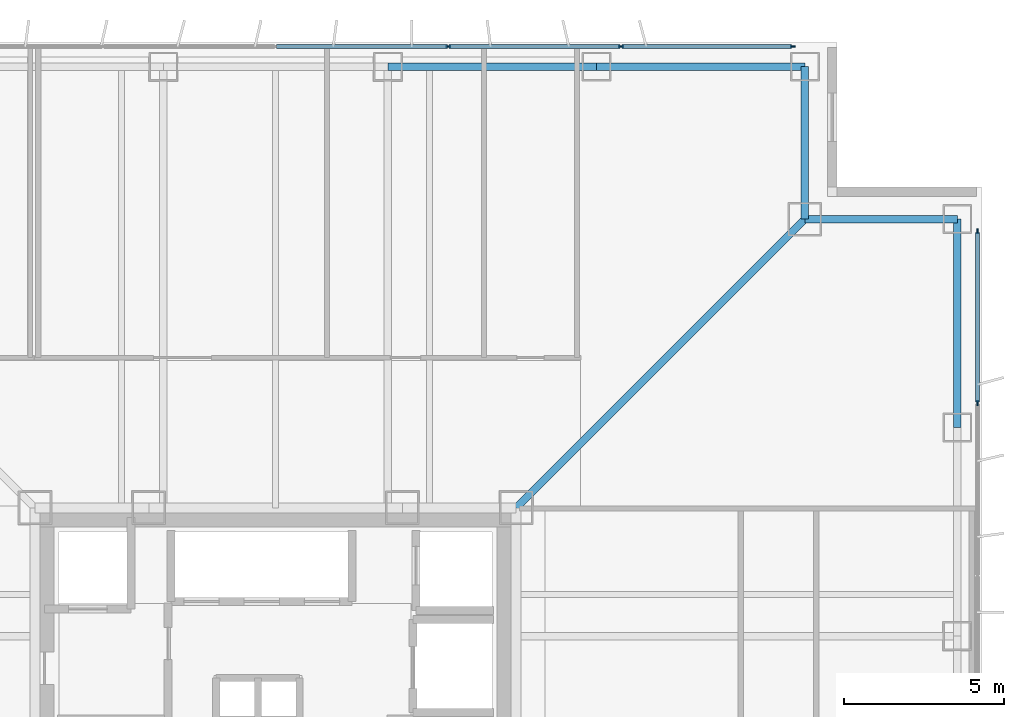
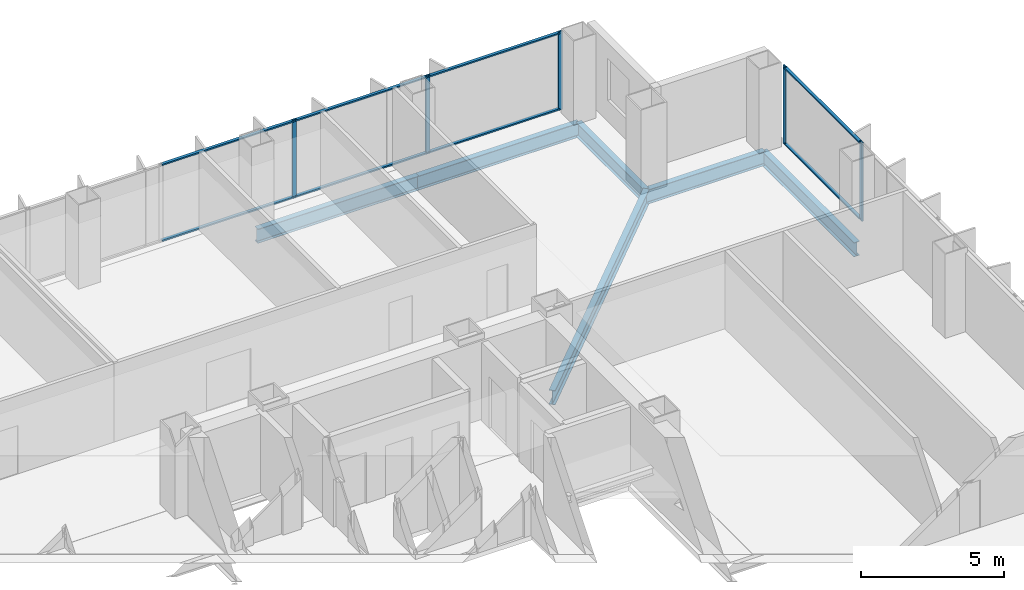
# One storey, part 8 of 14: 13 members, 6 beams, 2 elements without a shape of their own.
"""IFC4 building model written with IfcOpenShell, lengths in metres."""

from ifc_helpers import new_model, si_unit, direction, frame, origin, origin_2d, place, context, subcontext, project, spatial, rectangle, i_section, extrude, material, layer, layer_set, material_profile, profile_set, type_object, element, aggregate, save


model = new_model("IFC4")

# Units and contexts
model_context = context("Model", 3, precision=1e-05, world=origin(), true_north=direction((0.0, 1.0)))
body_context = subcontext(model_context, "Body", "Model", "MODEL_VIEW")
ifc_project = project(units=[si_unit("LENGTHUNIT", "METRE"), si_unit("AREAUNIT", "SQUARE_METRE"), si_unit("VOLUMEUNIT", "CUBIC_METRE"), si_unit("PLANEANGLEUNIT", "RADIAN"), si_unit("MASSUNIT", "GRAM", prefix="KILO")], contexts=[model_context])

# Site, building, storey
site_placement = place(None, origin())
site = spatial("IfcSite", under=ifc_project, at=site_placement, CompositionType="ELEMENT")
building_placement = place(site_placement, origin())
building = spatial("IfcBuilding", under=site, at=building_placement, Name="Trevonay Congress Spire", CompositionType="ELEMENT")
storey_placement = place(building_placement, frame((0.0, 0.0, 137.199951171875)))
storey = spatial("IfcBuildingStorey", under=building, at=storey_placement, Name="L35", CompositionType="ELEMENT", Elevation=137.199951171875)

# Beams
ifc_material_1 = material(Name="Steel ASTM A572 Grade 50", Category="steel")
ifc_material_profile_1 = material_profile(ifc_material_1, i_section(OverallWidth=0.22998046875, OverallDepth=0.616943359375, WebThickness=0.01318359375, FlangeThickness=0.022216796875, FilletRadius=0.01611328125, at=origin_2d()), Name="W610x140")
ifc_profile_set_1 = profile_set([ifc_material_profile_1], Name="Steel ASTM A572 Grade 50")
beam_type_1 = type_object("IfcBeamType", Name="BM-GIRD-W610X140", PredefinedType="BEAM", material=ifc_profile_set_1)
beam_placement = place(storey_placement, frame((7.5, 7.5, -0.54833984375), z_axis=(0.707106781187, 0.707106781187, 0.0), x_axis=(-0.707106781187, 0.707106781187, 0.0)))
element("IfcBeam", 1, at=beam_placement, inside=storey, type_object=beam_type_1, Name="L35 structural beam BM-L35-CDNE", PredefinedType="BEAM", context=body_context, shape_type="SweptSolid", body=[
    extrude(i_section(OverallWidth=0.22998046875, OverallDepth=0.616943359375, WebThickness=0.01318359375, FlangeThickness=0.022216796875, FilletRadius=0.01611328125, at=origin_2d()), origin(), (0.0, 0.0, 1.0), 12.72802734375),
])
ifc_material_profile_2 = material_profile(ifc_material_1, i_section(OverallWidth=0.22802734375, OverallDepth=0.60791015625, WebThickness=0.01123046875, FlangeThickness=0.017333984375, FilletRadius=0.01611328125, at=origin_2d()), Name="W610x113")
ifc_profile_set_2 = profile_set([ifc_material_profile_2], Name="Steel ASTM A572 Grade 50")
beam_type_2 = type_object("IfcBeamType", Name="BM-RING-W610X113", PredefinedType="BEAM", material=ifc_profile_set_2)
for number, where, z_axis, x_axis, name in (
    (2, (3.5, 21.25, -0.5439453125), (1.0, 0.0, 0.0), (0.0, 1.0, 0.0), "L35 structural beam BM-L35-PN4"),
    (3, (10.0, 21.25, -0.5439453125), (1.0, 0.0, 0.0), (0.0, 1.0, 0.0), "L35 structural beam BM-L35-PN5"),
    (4, (21.25, 10.0, -0.5439453125), (0.0, 1.0, 0.0), (-1.0, 0.0, 0.0), "L35 structural beam BM-L35-PE5"),
):
    element("IfcBeam", number, at=place(storey_placement, frame(where, z_axis=z_axis, x_axis=x_axis)), inside=storey, type_object=beam_type_2, Name=name, PredefinedType="BEAM", context=body_context, shape_type="SweptSolid", body=[
        extrude(i_section(OverallWidth=0.22802734375, OverallDepth=0.60791015625, WebThickness=0.01123046875, FlangeThickness=0.017333984375, FilletRadius=0.01611328125, at=origin_2d()), origin(), (0.0, 0.0, 1.0), 6.5),
    ])
for number, where, z_axis, x_axis, name in (
    (5, (16.5, 21.25, -0.5439453125), (0.0, -1.0, 0.0), (1.0, 0.0, 0.0), "L35 structural beam BM-L35-N1NE"),
    (6, (21.25, 16.5, -0.5439453125), (-1.0, 0.0, 0.0), (0.0, -1.0, 0.0), "L35 structural beam BM-L35-N2NE"),
):
    element("IfcBeam", number, at=place(storey_placement, frame(where, z_axis=z_axis, x_axis=x_axis)), inside=storey, type_object=beam_type_2, Name=name, PredefinedType="BEAM", context=body_context, shape_type="SweptSolid", body=[
        extrude(i_section(OverallWidth=0.22802734375, OverallDepth=0.60791015625, WebThickness=0.01123046875, FlangeThickness=0.017333984375, FilletRadius=0.01611328125, at=origin_2d()), origin(), (0.0, 0.0, 1.0), 4.75),
    ])

# Curtain wall, members
ifc_material_2 = material(Name="Pale Anodised Aluminium EN AW-6063-T6", Category="aluminium")
ifc_layer = layer(ifc_material_2, 0.175048828125, Name="Pale Anodised Aluminium EN AW-6063-T6")
ifc_layer_set = layer_set([ifc_layer], Name="Pale Anodised Aluminium EN AW-6063-T6")
curtain_wall_type = type_object("IfcCurtainWallType", Name="CW-SYS03-CONGRESS-PALE-METAL", PredefinedType="NOTDEFINED", material=ifc_layer_set)
curtain_wall_1_placement = place(storey_placement, origin())
curtain_wall_1 = element("IfcCurtainWall", 7, at=curtain_wall_1_placement, inside=storey, type_object=curtain_wall_type, Name="L35 N unitised curtain wall", PredefinedType="NOTDEFINED")
ifc_material_profile_3 = material_profile(ifc_material_2, rectangle(XDim=0.06005859375, YDim=0.159912109375, at=origin_2d()), Name="CW-MULLION-160-ALUMINIUM")
ifc_profile_set_3 = profile_set([ifc_material_profile_3], Name="Pale Anodised Aluminium EN AW-6063-T6")
member_type_1 = type_object("IfcMemberType", Name="CW-MULLION-160-ALUMINIUM", PredefinedType="MULLION", material=ifc_profile_set_3)
member_1_placement = place(storey_placement, frame((5.38330078125, 21.8798828125, 0.0), z_axis=(0.0, 0.0, 1.0), x_axis=(0.0, 1.0, 0.0)))
member_1 = element("IfcMember", 8, at=member_1_placement, type_object=member_type_1, Name="CW03 mullion 5", PredefinedType="MULLION", context=body_context, shape_type="SweptSolid", body=[
    extrude(rectangle(XDim=0.06005859375, YDim=0.159912109375, at=origin_2d()), origin(), (0.0, 0.0, 1.0), 3.360107421875),
])
member_2_placement = place(storey_placement, frame((10.7666015625, 21.8798828125, 0.0), z_axis=(0.0, 0.0, 1.0), x_axis=(0.0, 1.0, 0.0)))
member_2 = element("IfcMember", 9, at=member_2_placement, type_object=member_type_1, Name="CW03 mullion 6", PredefinedType="MULLION", context=body_context, shape_type="SweptSolid", body=[
    extrude(rectangle(XDim=0.06005859375, YDim=0.159912109375, at=origin_2d()), origin(), (0.0, 0.0, 1.0), 3.360107421875),
])
member_3_placement = place(storey_placement, frame((16.1201171875, 21.8798828125, 0.0), z_axis=(0.0, 0.0, 1.0), x_axis=(0.0, 1.0, 0.0)))
member_3 = element("IfcMember", 10, at=member_3_placement, type_object=member_type_1, Name="CW03 mullion 7", PredefinedType="MULLION", context=body_context, shape_type="SweptSolid", body=[
    extrude(rectangle(XDim=0.06005859375, YDim=0.159912109375, at=origin_2d()), origin(), (0.0, 0.0, 1.0), 3.360107421875),
])

curtain_wall_2_placement = place(storey_placement, origin())
curtain_wall_2 = element("IfcCurtainWall", 11, at=curtain_wall_2_placement, inside=storey, type_object=curtain_wall_type, Name="L35 E unitised curtain wall", PredefinedType="NOTDEFINED")
member_4_placement = place(storey_placement, frame((21.8798828125, 10.7666015625, 0.0), z_axis=(0.0, 0.0, 1.0), x_axis=(-1.0, 0.0, 0.0)))
member_4 = element("IfcMember", 12, at=member_4_placement, type_object=member_type_1, Name="CW03 mullion 6", PredefinedType="MULLION", context=body_context, shape_type="SweptSolid", body=[
    extrude(rectangle(XDim=0.06005859375, YDim=0.159912109375, at=origin_2d()), origin(), (0.0, 0.0, 1.0), 3.360107421875),
])
member_5_placement = place(storey_placement, frame((21.8798828125, 16.1201171875, 0.0), z_axis=(0.0, 0.0, 1.0), x_axis=(-1.0, 0.0, 0.0)))
member_5 = element("IfcMember", 13, at=member_5_placement, type_object=member_type_1, Name="CW03 mullion 7", PredefinedType="MULLION", context=body_context, shape_type="SweptSolid", body=[
    extrude(rectangle(XDim=0.06005859375, YDim=0.159912109375, at=origin_2d()), origin(), (0.0, 0.0, 1.0), 3.360107421875),
])

# Member
ifc_material_profile_4 = material_profile(ifc_material_2, rectangle(XDim=0.1201171875, YDim=0.06005859375, at=origin_2d()), Name="CW-TRANSOM-120-ALUMINIUM")
ifc_profile_set_4 = profile_set([ifc_material_profile_4], Name="Pale Anodised Aluminium EN AW-6063-T6")
member_type_2 = type_object("IfcMemberType", Name="CW-TRANSOM-120-ALUMINIUM", PredefinedType="USERDEFINED", material=ifc_profile_set_4)
member_6_placement = place(storey_placement, frame((0.030029296875, 21.8798828125, 0.06005859375), z_axis=(1.0, 0.0, 0.0), x_axis=(0.0, 1.0, 0.0)))
member_6 = element("IfcMember", 14, at=member_6_placement, type_object=member_type_2, Name="CW03 transom 4.1", ObjectType="TRANSOM", PredefinedType="USERDEFINED", context=body_context, shape_type="SweptSolid", body=[
    extrude(rectangle(XDim=0.1201171875, YDim=0.06005859375, at=origin_2d()), origin(), (0.0, 0.0, 1.0), 5.3232421875),
])

member_7_placement = place(storey_placement, frame((0.030029296875, 21.8798828125, 3.300048828125), z_axis=(1.0, 0.0, 0.0), x_axis=(0.0, 1.0, 0.0)))
member_7 = element("IfcMember", 15, at=member_7_placement, type_object=member_type_2, Name="CW03 transom 4.2", ObjectType="TRANSOM", PredefinedType="USERDEFINED", context=body_context, shape_type="SweptSolid", body=[
    extrude(rectangle(XDim=0.1201171875, YDim=0.06005859375, at=origin_2d()), origin(), (0.0, 0.0, 1.0), 5.3232421875),
])

member_8_placement = place(storey_placement, frame((5.413330078125, 21.8798828125, 0.06005859375), z_axis=(1.0, 0.0, 0.0), x_axis=(0.0, 1.0, 0.0)))
member_8 = element("IfcMember", 16, at=member_8_placement, type_object=member_type_2, Name="CW03 transom 5.1", ObjectType="TRANSOM", PredefinedType="USERDEFINED", context=body_context, shape_type="SweptSolid", body=[
    extrude(rectangle(XDim=0.1201171875, YDim=0.06005859375, at=origin_2d()), origin(), (0.0, 0.0, 1.0), 5.3232421875),
])

member_9_placement = place(storey_placement, frame((5.413330078125, 21.8798828125, 3.300048828125), z_axis=(1.0, 0.0, 0.0), x_axis=(0.0, 1.0, 0.0)))
member_9 = element("IfcMember", 17, at=member_9_placement, type_object=member_type_2, Name="CW03 transom 5.2", ObjectType="TRANSOM", PredefinedType="USERDEFINED", context=body_context, shape_type="SweptSolid", body=[
    extrude(rectangle(XDim=0.1201171875, YDim=0.06005859375, at=origin_2d()), origin(), (0.0, 0.0, 1.0), 5.3232421875),
])

member_10_placement = place(storey_placement, frame((10.796630859375, 21.8798828125, 0.06005859375), z_axis=(1.0, 0.0, 0.0), x_axis=(0.0, 1.0, 0.0)))
member_10 = element("IfcMember", 18, at=member_10_placement, type_object=member_type_2, Name="CW03 transom 6.1", ObjectType="TRANSOM", PredefinedType="USERDEFINED", context=body_context, shape_type="SweptSolid", body=[
    extrude(rectangle(XDim=0.1201171875, YDim=0.06005859375, at=origin_2d()), origin(), (0.0, 0.0, 1.0), 5.29345703125),
])

member_11_placement = place(storey_placement, frame((10.796630859375, 21.8798828125, 3.300048828125), z_axis=(1.0, 0.0, 0.0), x_axis=(0.0, 1.0, 0.0)))
member_11 = element("IfcMember", 19, at=member_11_placement, type_object=member_type_2, Name="CW03 transom 6.2", ObjectType="TRANSOM", PredefinedType="USERDEFINED", context=body_context, shape_type="SweptSolid", body=[
    extrude(rectangle(XDim=0.1201171875, YDim=0.06005859375, at=origin_2d()), origin(), (0.0, 0.0, 1.0), 5.29345703125),
])

aggregate(curtain_wall_1, [member_1, member_2, member_3, member_6, member_7, member_8, member_9, member_10, member_11])

member_12_placement = place(storey_placement, frame((21.8798828125, 10.796630859375, 0.06005859375), z_axis=(0.0, 1.0, 0.0), x_axis=(-1.0, 0.0, 0.0)))
member_12 = element("IfcMember", 20, at=member_12_placement, type_object=member_type_2, Name="CW03 transom 6.1", ObjectType="TRANSOM", PredefinedType="USERDEFINED", context=body_context, shape_type="SweptSolid", body=[
    extrude(rectangle(XDim=0.1201171875, YDim=0.06005859375, at=origin_2d()), origin(), (0.0, 0.0, 1.0), 5.29345703125),
])

member_13_placement = place(storey_placement, frame((21.8798828125, 10.796630859375, 3.300048828125), z_axis=(0.0, 1.0, 0.0), x_axis=(-1.0, 0.0, 0.0)))
member_13 = element("IfcMember", 21, at=member_13_placement, type_object=member_type_2, Name="CW03 transom 6.2", ObjectType="TRANSOM", PredefinedType="USERDEFINED", context=body_context, shape_type="SweptSolid", body=[
    extrude(rectangle(XDim=0.1201171875, YDim=0.06005859375, at=origin_2d()), origin(), (0.0, 0.0, 1.0), 5.29345703125),
])

aggregate(curtain_wall_2, [member_4, member_5, member_12, member_13])

save(model, "model.ifc")
